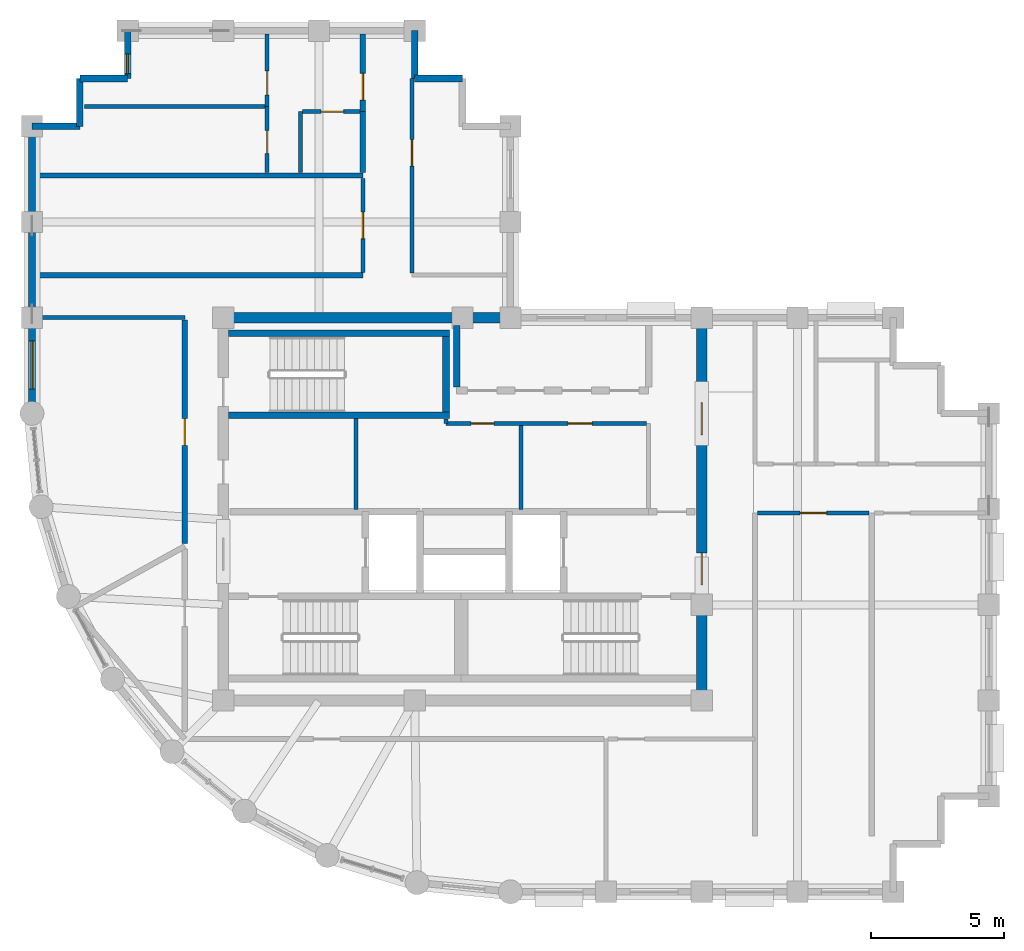
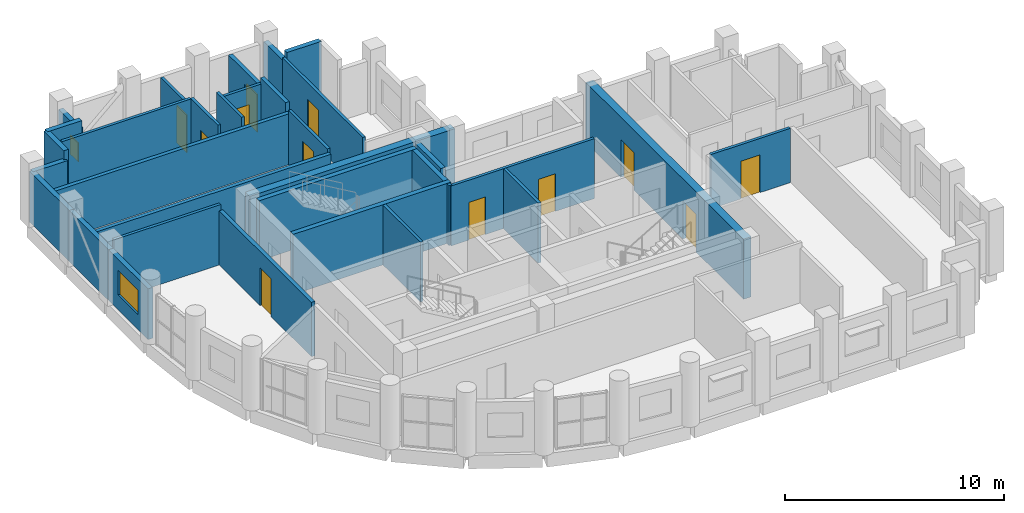
# One storey, part 8 of 11: 33 walls, 12 doors, 2 windows, 14 openings.
"""IFC4 building model written with IfcOpenShell, lengths in metres."""

from ifc_helpers import new_model, si_unit, direction, frame, frame_2d, origin, place, context, subcontext, project, spatial, rectangle, extrude, material, layer, layer_set, type_object, element, fill, save


model = new_model("IFC4")

# Units and contexts
model_context = context("Model", 3, precision=1e-05, world=origin(), true_north=direction((0.0, 1.0)))
body_context = subcontext(model_context, "Body", "Model", "MODEL_VIEW")
ifc_project = project(units=[si_unit("LENGTHUNIT", "METRE"), si_unit("AREAUNIT", "SQUARE_METRE"), si_unit("VOLUMEUNIT", "CUBIC_METRE"), si_unit("PLANEANGLEUNIT", "RADIAN"), si_unit("MASSUNIT", "GRAM", prefix="KILO")], contexts=[model_context])

# Site, building, storey
site_placement = place(None, origin())
site = spatial("IfcSite", under=ifc_project, at=site_placement, CompositionType="ELEMENT")
building_placement = place(site_placement, origin())
building = spatial("IfcBuilding", under=site, at=building_placement, Name="Solnavia Interchange Tower", CompositionType="ELEMENT")
storey_placement = place(building_placement, frame((0.0, 0.0, 273.800048828125)))
storey = spatial("IfcBuildingStorey", under=building, at=storey_placement, Name="L69", CompositionType="ELEMENT", Elevation=273.800048828125)

# Wall, opening, door
ifc_material_1 = material(Name="Gypsum Acoustic Twin-Stud & Mineral Wool", Category="gypsum")
ifc_layer_1 = layer(ifc_material_1, 0.199951171875)
ifc_layer_set_1 = layer_set([ifc_layer_1], Name="Gypsum Acoustic Twin-Stud & Mineral Wool")
wall_type_1 = type_object("IfcWallType", Name="Wall-ApartmentParty-200", PredefinedType="PARTITIONING", material=ifc_layer_set_1)
wall_1_placement = place(storey_placement, frame((12.949951171875, 16.7041015625, 0.0), z_axis=(0.0, 0.0, 1.0), x_axis=(0.0, 1.0, 0.0)))
wall_1 = element("IfcWall", 1, at=wall_1_placement, inside=storey, type_object=wall_type_1, Name="PTW-L69-11 Interior partition wall", PredefinedType="PARTITIONING", context=body_context, shape_type="SweptSolid", body=[
    extrude(rectangle(XDim=8.4169921875, YDim=0.199951171875, at=frame_2d((4.20849609375, 0.0))), origin(), (0.0, 0.0, 1.0), 3.02001953125),
])
opening_1_placement = place(wall_1_placement, frame((3.696044921875, 0.0, 0.0)))
opening_1 = element("IfcOpeningElement", 2, at=opening_1_placement, cuts=wall_1, Name="Opening DR-07", PredefinedType="OPENING", context=body_context, shape_type="SweptSolid", body=[
    extrude(rectangle(XDim=1.0, YDim=2.10009765625, at=frame_2d((0.5, 1.050048828125))), frame((0.0, 0.10986328125, 0.0), z_axis=(0.0, -1.0, 0.0), x_axis=(1.0, 0.0, 0.0)), (0.0, 0.0, 1.0), 0.219970703125),
])
ifc_material_2 = material(Name="Timber & Acoustic Glazed Office Door", Category="wood")
door_type_1 = type_object("IfcDoorType", Name="Door-Office-1000x2100", OperationType="SINGLE_SWING_RIGHT", PredefinedType="DOOR", material=ifc_material_2)
door_1_placement = place(opening_1_placement, origin())
door_1 = element("IfcDoor", 3, at=door_1_placement, inside=storey, type_object=door_type_1, Name="DR-L69-03 Interior room door", OperationType="SINGLE_SWING_LEFT", OverallHeight=2.10009765625, OverallWidth=1.0, PredefinedType="DOOR", context=body_context, shape_type="SweptSolid", body=[
    extrude(rectangle(XDim=1.0, YDim=2.10009765625, at=frame_2d((0.5, 1.050048828125))), frame((0.0, 0.02490234375, 0.0), z_axis=(0.0, -1.0, 0.0), x_axis=(1.0, 0.0, 0.0)), (0.0, 0.0, 1.0), 0.050048828125),
])
fill(opening_1, door_1)

# Walls
for number, where, z_axis, x_axis, name in (
    (4, (7.3291015625, 26.800048828125, 0.0), (0.0, 0.0, 1.0), (1.0, 0.0, 0.0), "PTW-L69-20 Interior partition wall"),
    (5, (7.3291015625, 30.550048828125, 0.0), (0.0, 0.0, 1.0), (1.0, 0.0, 0.0), "PTW-L69-21 Interior partition wall"),
):
    element("IfcWall", number, at=place(storey_placement, frame(where, z_axis=z_axis, x_axis=x_axis)), inside=storey, type_object=wall_type_1, Name=name, PredefinedType="PARTITIONING", context=body_context, shape_type="SweptSolid", body=[
        extrude(rectangle(XDim=12.32080078125, YDim=0.199951171875, at=frame_2d((6.160400390625, 0.0))), origin(), (0.0, 0.0, 1.0), 2.829833984375),
    ])
wall_2_placement = place(storey_placement, frame((19.64990234375, 30.654052734375, 0.0), z_axis=(0.0, 0.0, 1.0), x_axis=(0.0, 1.0, 0.0)))
element("IfcWall", 6, at=wall_2_placement, inside=storey, type_object=wall_type_1, Name="PTW-L69-23 Interior partition wall", PredefinedType="PARTITIONING", context=body_context, shape_type="SweptSolid", body=[
    extrude(rectangle(XDim=2.2958984375, YDim=0.199951171875, at=frame_2d((1.14794921875, 0.0))), origin(), (0.0, 0.0, 1.0), 3.3349609375),
])

# Wall, opening, door
wall_3_placement = place(storey_placement, frame((19.64990234375, 32.949951171875, 0.0), z_axis=(0.0, 0.0, 1.0), x_axis=(0.0, 1.0, 0.0)))
wall_3 = element("IfcWall", 7, at=wall_3_placement, inside=storey, type_object=wall_type_1, Name="PTW-L69-26 Interior partition wall", PredefinedType="PARTITIONING", context=body_context, shape_type="SweptSolid", body=[
    extrude(rectangle(XDim=2.921142578125, YDim=0.199951171875, at=frame_2d((1.46044921875, 0.0))), origin(), (0.0, 0.0, 1.0), 2.829833984375),
])
opening_2_placement = place(wall_3_placement, frame((0.43798828125, 0.0, 0.0)))
opening_2 = element("IfcOpeningElement", 8, at=opening_2_placement, cuts=wall_3, Name="Opening DR-06", PredefinedType="OPENING", context=body_context, shape_type="SweptSolid", body=[
    extrude(rectangle(XDim=1.0, YDim=2.10009765625, at=frame_2d((0.5, 1.050048828125))), frame((0.0, 0.10986328125, 0.0), z_axis=(0.0, -1.0, 0.0), x_axis=(1.0, 0.0, 0.0)), (0.0, 0.0, 1.0), 0.219970703125),
])
ifc_material_3 = material(Name="Engineered Timber Acoustic Fire Door", Category="wood")
door_type_2 = type_object("IfcDoorType", Name="Door-FlatEntry-1000x2100", OperationType="SINGLE_SWING_LEFT", PredefinedType="DOOR", material=ifc_material_3)
door_2_placement = place(opening_2_placement, origin())
door_2 = element("IfcDoor", 9, at=door_2_placement, inside=storey, type_object=door_type_2, Name="DR-L69-12 Interior room door", OperationType="SINGLE_SWING_LEFT", OverallHeight=2.10009765625, OverallWidth=1.0, PredefinedType="DOOR", context=body_context, shape_type="SweptSolid", body=[
    extrude(rectangle(XDim=1.0, YDim=2.10009765625, at=frame_2d((0.5, 1.050048828125))), frame((0.0, 0.02490234375, 0.0), z_axis=(0.0, -1.0, 0.0), x_axis=(1.0, 0.0, 0.0)), (0.0, 0.0, 1.0), 0.050048828125),
])
fill(opening_2, door_2)

# Walls
ifc_material_4 = material(Name="Concrete C40/50", Category="concrete")
ifc_layer_2 = layer(ifc_material_4, 0.25)
ifc_layer_set_2 = layer_set([ifc_layer_2], Name="Concrete C40/50")
wall_type_2 = type_object("IfcWallType", Name="Wall-ExtSpandrel-250", PredefinedType="STANDARD", material=ifc_layer_set_2)
wall_4_placement = place(storey_placement, frame((21.60009765625, 34.199951171875, 0.0), z_axis=(0.0, 0.0, 1.0), x_axis=(1.0, 0.0, 0.0)))
element("IfcWall", 10, at=wall_4_placement, inside=storey, type_object=wall_type_2, Name="EXW-L69-25 Exterior precast spandrel wall", PredefinedType="STANDARD", context=body_context, shape_type="SweptSolid", body=[
    extrude(rectangle(XDim=1.7998046875, YDim=0.25, at=frame_2d((0.89990234375, 0.0))), origin(), (0.0, 0.0, 1.0), 3.3349609375),
])
wall_5_placement = place(storey_placement, frame((21.60009765625, 34.199951171875, 0.0), z_axis=(0.0, 0.0, 1.0), x_axis=(0.0, 1.0, 0.0)))
element("IfcWall", 11, at=wall_5_placement, inside=storey, type_object=wall_type_2, Name="EXW-L69-26 Exterior precast spandrel wall", PredefinedType="STANDARD", context=body_context, shape_type="SweptSolid", body=[
    extrude(rectangle(XDim=1.800048828125, YDim=0.25, at=frame_2d((0.89990234375, 0.0))), origin(), (0.0, 0.0, 1.0), 2.829833984375),
])

# Wall, opening, window
wall_6_placement = place(storey_placement, frame((10.800048828125, 34.199951171875, 0.0), z_axis=(0.0, 0.0, 1.0), x_axis=(0.0, 1.0, 0.0)))
wall_6 = element("IfcWall", 12, at=wall_6_placement, inside=storey, type_object=wall_type_2, Name="EXW-L69-30 Exterior precast spandrel wall", PredefinedType="STANDARD", context=body_context, shape_type="SweptSolid", body=[
    extrude(rectangle(XDim=1.800048828125, YDim=0.25, at=frame_2d((0.89990234375, 0.0))), origin(), (0.0, 0.0, 1.0), 2.829833984375),
])
opening_3_placement = place(wall_6_placement, frame((0.179931640625, 0.0, 0.85009765625)))
opening_3 = element("IfcOpeningElement", 13, at=opening_3_placement, cuts=wall_6, Name="Opening WIN-08", PredefinedType="OPENING", context=body_context, shape_type="SweptSolid", body=[
    extrude(rectangle(XDim=0.75, YDim=1.050048828125, at=frame_2d((0.375, 0.52490234375))), frame((0.0, 0.135009765625, 0.0), z_axis=(0.0, -1.0, 0.0), x_axis=(1.0, 0.0, 0.0)), (0.0, 0.0, 1.0), 0.27001953125),
])
ifc_material_5 = material(Name="Thermal-Break Aluminium & Low-E Glass", Category="aluminium")
window_type_1 = type_object("IfcWindowType", Name="Window-Bedroom-750x1050", PartitioningType="SINGLE_PANEL", PredefinedType="WINDOW", material=ifc_material_5)
window_1_placement = place(opening_3_placement, origin())
window_1 = element("IfcWindow", 14, at=window_1_placement, inside=storey, type_object=window_type_1, Name="WIN-L69-DW01 Dwelling bedroom window", OverallHeight=1.050048828125, OverallWidth=0.75, PartitioningType="SINGLE_PANEL", PredefinedType="WINDOW", context=body_context, shape_type="SweptSolid", body=[
    extrude(rectangle(XDim=0.75, YDim=1.050048828125, at=frame_2d((0.375, 0.52490234375))), frame((0.0, 0.030029296875, 0.0), z_axis=(0.0, -1.0, 0.0), x_axis=(1.0, 0.0, 0.0)), (0.0, 0.0, 1.0), 0.06005859375),
])
fill(opening_3, window_1)

# Walls
for number, where, z_axis, x_axis, name in (
    (15, (9.0, 34.199951171875, 0.0), (0.0, 0.0, 1.0), (1.0, 0.0, 0.0), "EXW-L69-31 Exterior precast spandrel wall"),
    (16, (9.0, 32.39990234375, 0.0), (0.0, 0.0, 1.0), (0.0, 1.0, 0.0), "EXW-L69-32 Exterior precast spandrel wall"),
):
    element("IfcWall", number, at=place(storey_placement, frame(where, z_axis=z_axis, x_axis=x_axis)), inside=storey, type_object=wall_type_2, Name=name, PredefinedType="STANDARD", context=body_context, shape_type="SweptSolid", body=[
        extrude(rectangle(XDim=1.800048828125, YDim=0.25, at=frame_2d((0.89990234375, 0.0))), origin(), (0.0, 0.0, 1.0), 3.3349609375),
    ])
wall_7_placement = place(storey_placement, frame((7.199951171875, 32.39990234375, 0.0), z_axis=(0.0, 0.0, 1.0), x_axis=(1.0, 0.0, 0.0)))
element("IfcWall", 17, at=wall_7_placement, inside=storey, type_object=wall_type_2, Name="EXW-L69-33 Exterior precast spandrel wall", PredefinedType="STANDARD", context=body_context, shape_type="SweptSolid", body=[
    extrude(rectangle(XDim=1.800048828125, YDim=0.25, at=frame_2d((0.89990234375, 0.0))), origin(), (0.0, 0.0, 1.0), 2.829833984375),
])
wall_8_placement = place(storey_placement, frame((7.199951171875, 28.800048828125, 0.0), z_axis=(0.0, 0.0, 1.0), x_axis=(0.0, 1.0, 0.0)))
element("IfcWall", 18, at=wall_8_placement, inside=storey, type_object=wall_type_2, Name="EXW-L69-34 Exterior precast spandrel wall", PredefinedType="STANDARD", context=body_context, shape_type="SweptSolid", body=[
    extrude(rectangle(XDim=3.599853515625, YDim=0.25, at=frame_2d((1.7998046875, 0.0))), origin(), (0.0, 0.0, 1.0), 2.829833984375),
])
wall_9_placement = place(storey_placement, frame((7.199951171875, 25.199951171875, 0.0), z_axis=(0.0, 0.0, 1.0), x_axis=(0.0, 1.0, 0.0)))
element("IfcWall", 19, at=wall_9_placement, inside=storey, type_object=wall_type_2, Name="EXW-L69-35 Exterior precast spandrel wall", PredefinedType="STANDARD", context=body_context, shape_type="SweptSolid", body=[
    extrude(rectangle(XDim=3.60009765625, YDim=0.25, at=frame_2d((1.800048828125, 0.0))), origin(), (0.0, 0.0, 1.0), 2.829833984375),
])

# Wall, opening, window
wall_10_placement = place(storey_placement, frame((7.199951171875, 21.60009765625, 0.0), z_axis=(0.0, 0.0, 1.0), x_axis=(0.0, 1.0, 0.0)))
wall_10 = element("IfcWall", 20, at=wall_10_placement, inside=storey, type_object=wall_type_2, Name="EXW-L69-36 Exterior precast spandrel wall", PredefinedType="STANDARD", context=body_context, shape_type="SweptSolid", body=[
    extrude(rectangle(XDim=3.599853515625, YDim=0.25, at=frame_2d((1.7998046875, 0.0))), origin(), (0.0, 0.0, 1.0), 2.829833984375),
])
opening_4_placement = place(wall_10_placement, frame((0.925048828125, 0.0, 0.85009765625)))
opening_4 = element("IfcOpeningElement", 21, at=opening_4_placement, cuts=wall_10, Name="Opening WIN-02", PredefinedType="OPENING", context=body_context, shape_type="SweptSolid", body=[
    extrude(rectangle(XDim=1.800048828125, YDim=1.35009765625, at=frame_2d((0.89990234375, 0.675048828125))), frame((0.0, 0.135009765625, 0.0), z_axis=(0.0, -1.0, 0.0), x_axis=(1.0, 0.0, 0.0)), (0.0, 0.0, 1.0), 0.27001953125),
])
window_type_2 = type_object("IfcWindowType", Name="Window-Ribbon-1800x1350", PartitioningType="SINGLE_PANEL", PredefinedType="WINDOW", material=ifc_material_5)
window_2_placement = place(opening_4_placement, origin())
window_2 = element("IfcWindow", 22, at=window_2_placement, inside=storey, type_object=window_type_2, Name="WIN-L69-36 Facade ribbon window", OverallHeight=1.35009765625, OverallWidth=1.800048828125, PartitioningType="SINGLE_PANEL", PredefinedType="WINDOW", context=body_context, shape_type="SweptSolid", body=[
    extrude(rectangle(XDim=1.800048828125, YDim=1.35009765625, at=frame_2d((0.89990234375, 0.675048828125))), frame((0.0, 0.030029296875, 0.0), z_axis=(0.0, -1.0, 0.0), x_axis=(1.0, 0.0, 0.0)), (0.0, 0.0, 1.0), 0.06005859375),
])
fill(opening_4, window_2)

# Wall, openings, doors
ifc_material_6 = material(Name="Gypsum Plasterboard & Steel Stud", Category="steel")
ifc_layer_3 = layer(ifc_material_6, 0.14990234375)
ifc_layer_set_3 = layer_set([ifc_layer_3], Name="Gypsum Plasterboard & Steel Stud")
wall_type_3 = type_object("IfcWallType", Name="Wall-Partition-150", PredefinedType="PARTITIONING", material=ifc_layer_set_3)
wall_11_placement = place(storey_placement, frame((22.77490234375, 21.219970703125, 0.0), z_axis=(0.0, 0.0, 1.0), x_axis=(1.0, 0.0, 0.0)))
wall_11 = element("IfcWall", 23, at=wall_11_placement, inside=storey, type_object=wall_type_3, Name="CSW-L69-N-ALL Core shaft wall", PredefinedType="PARTITIONING", context=body_context, shape_type="SweptSolid", body=[
    extrude(rectangle(XDim=7.545166015625, YDim=0.14990234375, at=frame_2d((3.7724609375, 0.0))), origin(), (0.0, 0.0, 1.0), 3.3349609375),
])
opening_5_placement = place(wall_11_placement, frame((0.949951171875, 0.0, 0.0)))
opening_5 = element("IfcOpeningElement", 24, at=opening_5_placement, cuts=wall_11, Name="Opening DR-10", PredefinedType="OPENING", context=body_context, shape_type="SweptSolid", body=[
    extrude(rectangle(XDim=0.85009765625, YDim=2.10009765625, at=frame_2d((0.425048828125, 1.050048828125))), frame((0.0, 0.0849609375, 0.0), z_axis=(0.0, -1.0, 0.0), x_axis=(1.0, 0.0, 0.0)), (0.0, 0.0, 1.0), 0.169921875),
])
opening_6_placement = place(wall_11_placement, frame((4.60009765625, 0.0, 0.0)))
opening_6 = element("IfcOpeningElement", 25, at=opening_6_placement, cuts=wall_11, Name="Opening DR-09", PredefinedType="OPENING", context=body_context, shape_type="SweptSolid", body=[
    extrude(rectangle(XDim=0.89990234375, YDim=2.10009765625, at=frame_2d((0.449951171875, 1.050048828125))), frame((0.0, 0.0849609375, 0.0), z_axis=(0.0, -1.0, 0.0), x_axis=(1.0, 0.0, 0.0)), (0.0, 0.0, 1.0), 0.169921875),
])
ifc_material_7 = material(Name="Moisture-Resistant Timber Door", Category="wood")
door_type_3 = type_object("IfcDoorType", Name="Door-Bathroom-850x2100", OperationType="SINGLE_SWING_RIGHT", PredefinedType="DOOR", material=ifc_material_7)
door_3_placement = place(opening_5_placement, origin())
door_3 = element("IfcDoor", 26, at=door_3_placement, inside=storey, type_object=door_type_3, Name="DR-L69-CS2 Core fire door", OperationType="SINGLE_SWING_LEFT", OverallHeight=2.10009765625, OverallWidth=0.85009765625, PredefinedType="DOOR", context=body_context, shape_type="SweptSolid", body=[
    extrude(rectangle(XDim=0.85009765625, YDim=2.10009765625, at=frame_2d((0.425048828125, 1.050048828125))), frame((0.0, 0.02490234375, 0.0), z_axis=(0.0, -1.0, 0.0), x_axis=(1.0, 0.0, 0.0)), (0.0, 0.0, 1.0), 0.050048828125),
])
fill(opening_5, door_3)
ifc_material_8 = material(Name="Engineered Oak Veneer Door", Category="wood")
door_type_4 = type_object("IfcDoorType", Name="Door-Internal-900x2100", OperationType="SINGLE_SWING_LEFT", PredefinedType="DOOR", material=ifc_material_8)
door_4_placement = place(opening_6_placement, origin())
door_4 = element("IfcDoor", 27, at=door_4_placement, inside=storey, type_object=door_type_4, Name="DR-L69-CS3 Core fire door", OperationType="SINGLE_SWING_RIGHT", OverallHeight=2.10009765625, OverallWidth=0.89990234375, PredefinedType="DOOR", context=body_context, shape_type="SweptSolid", body=[
    extrude(rectangle(XDim=0.89990234375, YDim=2.10009765625, at=frame_2d((0.449951171875, 1.050048828125))), frame((0.0, 0.02490234375, 0.0), z_axis=(0.0, -1.0, 0.0), x_axis=(1.0, 0.0, 0.0)), (0.0, 0.0, 1.0), 0.050048828125),
])
fill(opening_6, door_4)

# Walls
wall_12_placement = place(storey_placement, frame((22.77490234375, 21.219970703125, 0.0), z_axis=(0.0, 0.0, 1.0), x_axis=(0.0, 1.0, 0.0)))
element("IfcWall", 28, at=wall_12_placement, inside=storey, type_object=wall_type_3, Name="CSW-L69-ST-TIE Core shaft wall", PredefinedType="PARTITIONING", context=body_context, shape_type="SweptSolid", body=[
    extrude(rectangle(XDim=0.175048828125, YDim=0.14990234375, at=frame_2d((0.08740234375, 0.0))), origin(), (0.0, 0.0, 1.0), 3.3349609375),
])
wall_13_placement = place(storey_placement, frame((19.39990234375, 17.97998046875, 0.0), z_axis=(0.0, 0.0, 1.0), x_axis=(0.0, 1.0, 0.0)))
element("IfcWall", 29, at=wall_13_placement, inside=storey, type_object=wall_type_3, Name="CSW-L69-M1 Core shaft wall", PredefinedType="PARTITIONING", context=body_context, shape_type="SweptSolid", body=[
    extrude(rectangle(XDim=3.419921875, YDim=0.14990234375, at=frame_2d((1.7099609375, 0.0))), origin(), (0.0, 0.0, 1.0), 3.3349609375),
])
wall_14_placement = place(storey_placement, frame((25.60009765625, 17.97998046875, 0.0), z_axis=(0.0, 0.0, 1.0), x_axis=(0.0, 1.0, 0.0)))
element("IfcWall", 30, at=wall_14_placement, inside=storey, type_object=wall_type_3, Name="CSW-L69-M2 Core shaft wall", PredefinedType="PARTITIONING", context=body_context, shape_type="SweptSolid", body=[
    extrude(rectangle(XDim=3.169921875, YDim=0.14990234375, at=frame_2d((1.5849609375, 0.0))), origin(), (0.0, 0.0, 1.0), 3.3349609375),
])
wall_15_placement = place(storey_placement, frame((7.3291015625, 25.199951171875, 0.0), z_axis=(0.0, 0.0, 1.0), x_axis=(1.0, 0.0, 0.0)))
element("IfcWall", 31, at=wall_15_placement, inside=storey, type_object=wall_type_3, Name="PTW-L69-07 Interior partition wall", PredefinedType="PARTITIONING", context=body_context, shape_type="SweptSolid", body=[
    extrude(rectangle(XDim=5.620849609375, YDim=0.14990234375, at=frame_2d((2.810546875, 0.0))), origin(), (0.0, 0.0, 1.0), 3.3349609375),
])

# Wall, opening, door
wall_16_placement = place(storey_placement, frame((34.50390625, 17.85009765625, 0.0), z_axis=(0.0, 0.0, 1.0), x_axis=(1.0, 0.0, 0.0)))
wall_16 = element("IfcWall", 32, at=wall_16_placement, inside=storey, type_object=wall_type_3, Name="PTW-L69-17 Interior partition wall", PredefinedType="PARTITIONING", context=body_context, shape_type="SweptSolid", body=[
    extrude(rectangle(XDim=4.192138671875, YDim=0.14990234375, at=frame_2d((2.09619140625, 0.0))), origin(), (0.0, 0.0, 1.0), 3.02001953125),
])
opening_7_placement = place(wall_16_placement, frame((1.595947265625, 0.0, 0.0)))
opening_7 = element("IfcOpeningElement", 33, at=opening_7_placement, cuts=wall_16, Name="Opening DR-07", PredefinedType="OPENING", context=body_context, shape_type="SweptSolid", body=[
    extrude(rectangle(XDim=1.0, YDim=2.10009765625, at=frame_2d((0.5, 1.050048828125))), frame((0.0, 0.0849609375, 0.0), z_axis=(0.0, -1.0, 0.0), x_axis=(1.0, 0.0, 0.0)), (0.0, 0.0, 1.0), 0.169921875),
])
door_5_placement = place(opening_7_placement, origin())
door_5 = element("IfcDoor", 34, at=door_5_placement, inside=storey, type_object=door_type_1, Name="DR-L69-07 Interior room door", OperationType="SINGLE_SWING_LEFT", OverallHeight=2.10009765625, OverallWidth=1.0, PredefinedType="DOOR", context=body_context, shape_type="SweptSolid", body=[
    extrude(rectangle(XDim=1.0, YDim=2.10009765625, at=frame_2d((0.5, 1.050048828125))), frame((0.0, 0.02490234375, 0.0), z_axis=(0.0, -1.0, 0.0), x_axis=(1.0, 0.0, 0.0)), (0.0, 0.0, 1.0), 0.050048828125),
])
fill(opening_7, door_5)

wall_17_placement = place(storey_placement, frame((19.64990234375, 26.904052734375, 0.0), z_axis=(0.0, 0.0, 1.0), x_axis=(0.0, 1.0, 0.0)))
wall_17 = element("IfcWall", 35, at=wall_17_placement, inside=storey, type_object=wall_type_3, Name="PTW-L69-22 Interior partition wall", PredefinedType="PARTITIONING", context=body_context, shape_type="SweptSolid", body=[
    extrude(rectangle(XDim=3.5419921875, YDim=0.14990234375, at=frame_2d((1.77099609375, 0.0))), origin(), (0.0, 0.0, 1.0), 3.030029296875),
])
opening_8_placement = place(wall_17_placement, frame((1.27099609375, 0.0, 0.0)))
opening_8 = element("IfcOpeningElement", 36, at=opening_8_placement, cuts=wall_17, Name="Opening DR-07", PredefinedType="OPENING", context=body_context, shape_type="SweptSolid", body=[
    extrude(rectangle(XDim=1.0, YDim=2.10009765625, at=frame_2d((0.5, 1.050048828125))), frame((0.0, 0.0849609375, 0.0), z_axis=(0.0, -1.0, 0.0), x_axis=(1.0, 0.0, 0.0)), (0.0, 0.0, 1.0), 0.169921875),
])
door_6_placement = place(opening_8_placement, origin())
door_6 = element("IfcDoor", 37, at=door_6_placement, inside=storey, type_object=door_type_1, Name="DR-L69-10 Interior room door", OperationType="SINGLE_SWING_RIGHT", OverallHeight=2.10009765625, OverallWidth=1.0, PredefinedType="DOOR", context=body_context, shape_type="SweptSolid", body=[
    extrude(rectangle(XDim=1.0, YDim=2.10009765625, at=frame_2d((0.5, 1.050048828125))), frame((0.0, 0.02490234375, 0.0), z_axis=(0.0, -1.0, 0.0), x_axis=(1.0, 0.0, 0.0)), (0.0, 0.0, 1.0), 0.050048828125),
])
fill(opening_8, door_6)

wall_18_placement = place(storey_placement, frame((16.050048828125, 33.14990234375, 0.0), z_axis=(0.0, 0.0, 1.0), x_axis=(0.0, 1.0, 0.0)))
wall_18 = element("IfcWall", 38, at=wall_18_placement, inside=storey, type_object=wall_type_3, Name="PTW-L69-27 Interior partition wall", PredefinedType="PARTITIONING", context=body_context, shape_type="SweptSolid", body=[
    extrude(rectangle(XDim=2.72119140625, YDim=0.14990234375, at=frame_2d((1.360595703125, 0.0))), origin(), (0.0, 0.0, 1.0), 2.829833984375),
])
opening_9_placement = place(wall_18_placement, frame((0.43701171875, 0.0, 0.0)))
opening_9 = element("IfcOpeningElement", 39, at=opening_9_placement, cuts=wall_18, Name="Opening DR-09", PredefinedType="OPENING", context=body_context, shape_type="SweptSolid", body=[
    extrude(rectangle(XDim=0.89990234375, YDim=2.10009765625, at=frame_2d((0.449951171875, 1.050048828125))), frame((0.0, 0.0849609375, 0.0), z_axis=(0.0, -1.0, 0.0), x_axis=(1.0, 0.0, 0.0)), (0.0, 0.0, 1.0), 0.169921875),
])
door_7_placement = place(opening_9_placement, origin())
door_7 = element("IfcDoor", 40, at=door_7_placement, inside=storey, type_object=door_type_4, Name="DR-L69-13 Interior room door", OperationType="SINGLE_SWING_LEFT", OverallHeight=2.10009765625, OverallWidth=0.89990234375, PredefinedType="DOOR", context=body_context, shape_type="SweptSolid", body=[
    extrude(rectangle(XDim=0.89990234375, YDim=2.10009765625, at=frame_2d((0.449951171875, 1.050048828125))), frame((0.0, 0.02490234375, 0.0), z_axis=(0.0, -1.0, 0.0), x_axis=(1.0, 0.0, 0.0)), (0.0, 0.0, 1.0), 0.050048828125),
])
fill(opening_9, door_7)

wall_19_placement = place(storey_placement, frame((21.5, 26.87890625, 0.0), z_axis=(0.0, 0.0, 1.0), x_axis=(0.0, 1.0, 0.0)))
wall_19 = element("IfcWall", 41, at=wall_19_placement, inside=storey, type_object=wall_type_3, Name="PTW-L69-31 Interior partition wall", PredefinedType="PARTITIONING", context=body_context, shape_type="SweptSolid", body=[
    extrude(rectangle(XDim=7.321044921875, YDim=0.14990234375, at=frame_2d((3.66064453125, 0.0))), origin(), (0.0, 0.0, 1.0), 3.030029296875),
])
opening_10_placement = place(wall_19_placement, frame((4.02099609375, 0.0, 0.0)))
opening_10 = element("IfcOpeningElement", 42, at=opening_10_placement, cuts=wall_19, Name="Opening DR-07", PredefinedType="OPENING", context=body_context, shape_type="SweptSolid", body=[
    extrude(rectangle(XDim=1.0, YDim=2.10009765625, at=frame_2d((0.5, 1.050048828125))), frame((0.0, 0.0849609375, 0.0), z_axis=(0.0, -1.0, 0.0), x_axis=(1.0, 0.0, 0.0)), (0.0, 0.0, 1.0), 0.169921875),
])
door_8_placement = place(opening_10_placement, origin())
door_8 = element("IfcDoor", 43, at=door_8_placement, inside=storey, type_object=door_type_1, Name="DR-L69-15 Interior room door", OperationType="SINGLE_SWING_LEFT", OverallHeight=2.10009765625, OverallWidth=1.0, PredefinedType="DOOR", context=body_context, shape_type="SweptSolid", body=[
    extrude(rectangle(XDim=1.0, YDim=2.10009765625, at=frame_2d((0.5, 1.050048828125))), frame((0.0, 0.02490234375, 0.0), z_axis=(0.0, -1.0, 0.0), x_axis=(1.0, 0.0, 0.0)), (0.0, 0.0, 1.0), 0.050048828125),
])
fill(opening_10, door_8)

# Walls
ifc_layer_4 = layer(ifc_material_4, 0.25)
ifc_layer_set_4 = layer_set([ifc_layer_4], Name="Concrete C40/50")
wall_type_4 = type_object("IfcWallType", Name="Wall-ShaftCore-250", PredefinedType="SHEAR", material=ifc_layer_set_4)
for number, where, z_axis, x_axis, name in (
    (44, (14.60009765625, 21.52490234375, 0.0), (0.0, 0.0, 1.0), (1.0, 0.0, 0.0), "SHW-L69-ST3S Core shear wall"),
    (45, (14.60009765625, 24.614990234375, 0.0), (0.0, 0.0, 1.0), (1.0, 0.0, 0.0), "SHW-L69-ST3N Core shear wall"),
):
    element("IfcWall", number, at=place(storey_placement, frame(where, z_axis=z_axis, x_axis=x_axis)), inside=storey, type_object=wall_type_4, Name=name, PredefinedType="SHEAR", context=body_context, shape_type="SweptSolid", body=[
        extrude(rectangle(XDim=8.2998046875, YDim=0.25, at=frame_2d((4.14990234375, 0.0))), origin(), (0.0, 0.0, 1.0), 3.349853515625),
    ])
wall_20_placement = place(storey_placement, frame((22.77490234375, 21.64990234375, 0.0), z_axis=(0.0, 0.0, 1.0), x_axis=(0.0, 1.0, 0.0)))
element("IfcWall", 46, at=wall_20_placement, inside=storey, type_object=wall_type_4, Name="SHW-L69-ST3E Core shear wall", PredefinedType="SHEAR", context=body_context, shape_type="SweptSolid", body=[
    extrude(rectangle(XDim=2.840087890625, YDim=0.25, at=frame_2d((1.419921875, 0.0))), origin(), (0.0, 0.0, 1.0), 3.349853515625),
])
ifc_layer_5 = layer(ifc_material_4, 0.25)
ifc_layer_set_5 = layer_set([ifc_layer_5], Name="Concrete C40/50")
wall_type_5 = type_object("IfcWallType", Name="Wall-ShaftPart-250", PredefinedType="PARTITIONING", material=ifc_layer_set_5)
wall_21_placement = place(storey_placement, frame((23.179931640625, 22.5849609375, 0.0), z_axis=(0.0, 0.0, 1.0), x_axis=(0.0, 1.0, 0.0)))
element("IfcWall", 47, at=wall_21_placement, inside=storey, type_object=wall_type_5, Name="SHW-L69-B3W Core shaft wall", PredefinedType="PARTITIONING", context=body_context, shape_type="SweptSolid", body=[
    extrude(rectangle(XDim=2.31494140625, YDim=0.25, at=frame_2d((1.157470703125, 0.0))), origin(), (0.0, 0.0, 1.0), 3.3349609375),
])
ifc_material_9 = material(Name="Concrete C50/60", Category="concrete")
ifc_layer_6 = layer(ifc_material_9, 0.39990234375)
ifc_layer_set_6 = layer_set([ifc_layer_6], Name="Concrete C50/60")
wall_type_6 = type_object("IfcWallType", Name="Wall-ShearCore-400", PredefinedType="SHEAR", material=ifc_layer_set_6)
wall_22_placement = place(storey_placement, frame((14.39990234375, 25.199951171875, 0.0), z_axis=(0.0, 0.0, 1.0), x_axis=(1.0, 0.0, 0.0)))
element("IfcWall", 48, at=wall_22_placement, inside=storey, type_object=wall_type_6, Name="CRW-L69-N Core shear wall", PredefinedType="SHEAR", context=body_context, shape_type="SweptSolid", body=[
    extrude(rectangle(XDim=10.800048828125, YDim=0.39990234375, at=frame_2d((5.39990234375, 0.0))), origin(), (0.0, 0.0, 1.0), 3.349853515625),
])

# Wall, openings, doors
wall_23_placement = place(storey_placement, frame((32.39990234375, 10.800048828125, 0.0), z_axis=(0.0, 0.0, 1.0), x_axis=(0.0, 1.0, 0.0)))
wall_23 = element("IfcWall", 49, at=wall_23_placement, inside=storey, type_object=wall_type_6, Name="CRW-L69-E Core shear wall", PredefinedType="SHEAR", context=body_context, shape_type="SweptSolid", body=[
    extrude(rectangle(XDim=14.39990234375, YDim=0.39990234375, at=frame_2d((7.199951171875, 0.0))), origin(), (0.0, 0.0, 1.0), 3.349853515625),
])
opening_11_placement = place(wall_23_placement, frame((4.35009765625, 0.0, 0.0)))
opening_11 = element("IfcOpeningElement", 50, at=opening_11_placement, cuts=wall_23, Name="Opening DR-02", PredefinedType="OPENING", context=body_context, shape_type="SweptSolid", body=[
    extrude(rectangle(XDim=1.199951171875, YDim=2.10009765625, at=frame_2d((0.60009765625, 1.050048828125))), frame((0.0, 0.2099609375, 0.0), z_axis=(0.0, -1.0, 0.0), x_axis=(1.0, 0.0, 0.0)), (0.0, 0.0, 1.0), 0.419921875),
])
opening_12_placement = place(wall_23_placement, frame((10.0, 0.0, 0.0)))
opening_12 = element("IfcOpeningElement", 51, at=opening_12_placement, cuts=wall_23, Name="Opening DR-02", PredefinedType="OPENING", context=body_context, shape_type="SweptSolid", body=[
    extrude(rectangle(XDim=1.199951171875, YDim=2.10009765625, at=frame_2d((0.60009765625, 1.050048828125))), frame((0.0, 0.2099609375, 0.0), z_axis=(0.0, -1.0, 0.0), x_axis=(1.0, 0.0, 0.0)), (0.0, 0.0, 1.0), 0.419921875),
])
ifc_material_10 = material(Name="Steel Fire-Rated Vision-Panel Door", Category="steel")
door_type_5 = type_object("IfcDoorType", Name="Door-LobbyFire-1200x2100", OperationType="SINGLE_SWING_RIGHT", PredefinedType="DOOR", material=ifc_material_10)
door_9_placement = place(opening_11_placement, origin())
door_9 = element("IfcDoor", 52, at=door_9_placement, inside=storey, type_object=door_type_5, Name="DR-L69-FFL2E Core fire door", OperationType="SINGLE_SWING_LEFT", OverallHeight=2.10009765625, OverallWidth=1.199951171875, PredefinedType="DOOR", context=body_context, shape_type="SweptSolid", body=[
    extrude(rectangle(XDim=1.199951171875, YDim=2.10009765625, at=frame_2d((0.60009765625, 1.050048828125))), frame((0.0, 0.02490234375, 0.0), z_axis=(0.0, -1.0, 0.0), x_axis=(1.0, 0.0, 0.0)), (0.0, 0.0, 1.0), 0.050048828125),
])
fill(opening_11, door_9)
door_10_placement = place(opening_12_placement, origin())
door_10 = element("IfcDoor", 53, at=door_10_placement, inside=storey, type_object=door_type_5, Name="DR-L69-LLE Core fire door", OperationType="SINGLE_SWING_RIGHT", OverallHeight=2.10009765625, OverallWidth=1.199951171875, PredefinedType="DOOR", context=body_context, shape_type="SweptSolid", body=[
    extrude(rectangle(XDim=1.199951171875, YDim=2.10009765625, at=frame_2d((0.60009765625, 1.050048828125))), frame((0.0, 0.02490234375, 0.0), z_axis=(0.0, -1.0, 0.0), x_axis=(1.0, 0.0, 0.0)), (0.0, 0.0, 1.0), 0.050048828125),
])
fill(opening_12, door_10)

# Wall
ifc_material_11 = material(Name="Moisture-Resistant Gypsum & Steel Stud", Category="steel")
ifc_layer_7 = layer(ifc_material_11, 0.14990234375)
ifc_layer_set_7 = layer_set([ifc_layer_7], Name="Moisture-Resistant Gypsum & Steel Stud")
wall_type_7 = type_object("IfcWallType", Name="Wall-WetRoom-150", PredefinedType="PARTITIONING", material=ifc_layer_set_7)
wall_24_placement = place(storey_placement, frame((17.300048828125, 30.654052734375, 0.0), z_axis=(0.0, 0.0, 1.0), x_axis=(0.0, 1.0, 0.0)))
element("IfcWall", 54, at=wall_24_placement, inside=storey, type_object=wall_type_7, Name="PTW-L69-24 Interior partition wall", PredefinedType="PARTITIONING", context=body_context, shape_type="SweptSolid", body=[
    extrude(rectangle(XDim=2.2958984375, YDim=0.14990234375, at=frame_2d((1.14794921875, 0.0))), origin(), (0.0, 0.0, 1.0), 3.3349609375),
])

# Wall, opening, door
wall_25_placement = place(storey_placement, frame((17.37890625, 32.949951171875, 0.0), z_axis=(0.0, 0.0, 1.0), x_axis=(1.0, 0.0, 0.0)))
wall_25 = element("IfcWall", 55, at=wall_25_placement, inside=storey, type_object=wall_type_7, Name="PTW-L69-25 Interior partition wall", PredefinedType="PARTITIONING", context=body_context, shape_type="SweptSolid", body=[
    extrude(rectangle(XDim=2.1669921875, YDim=0.14990234375, at=frame_2d((1.08349609375, 0.0))), origin(), (0.0, 0.0, 1.0), 3.030029296875),
])
opening_13_placement = place(wall_25_placement, frame((0.700927734375, 0.0, 0.0)))
opening_13 = element("IfcOpeningElement", 56, at=opening_13_placement, cuts=wall_25, Name="Opening DR-10", PredefinedType="OPENING", context=body_context, shape_type="SweptSolid", body=[
    extrude(rectangle(XDim=0.85009765625, YDim=2.10009765625, at=frame_2d((0.425048828125, 1.050048828125))), frame((0.0, 0.0849609375, 0.0), z_axis=(0.0, -1.0, 0.0), x_axis=(1.0, 0.0, 0.0)), (0.0, 0.0, 1.0), 0.169921875),
])
door_11_placement = place(opening_13_placement, origin())
door_11 = element("IfcDoor", 57, at=door_11_placement, inside=storey, type_object=door_type_3, Name="DR-L69-11 Interior room door", OperationType="SINGLE_SWING_RIGHT", OverallHeight=2.10009765625, OverallWidth=0.85009765625, PredefinedType="DOOR", context=body_context, shape_type="SweptSolid", body=[
    extrude(rectangle(XDim=0.85009765625, YDim=2.10009765625, at=frame_2d((0.425048828125, 1.050048828125))), frame((0.0, 0.02490234375, 0.0), z_axis=(0.0, -1.0, 0.0), x_axis=(1.0, 0.0, 0.0)), (0.0, 0.0, 1.0), 0.050048828125),
])
fill(opening_13, door_11)

wall_26_placement = place(storey_placement, frame((16.050048828125, 30.654052734375, 0.0), z_axis=(0.0, 0.0, 1.0), x_axis=(0.0, 1.0, 0.0)))
wall_26 = element("IfcWall", 58, at=wall_26_placement, inside=storey, type_object=wall_type_7, Name="PTW-L69-28 Interior partition wall", PredefinedType="PARTITIONING", context=body_context, shape_type="SweptSolid", body=[
    extrude(rectangle(XDim=2.495849609375, YDim=0.14990234375, at=frame_2d((1.248046875, 0.0))), origin(), (0.0, 0.0, 1.0), 3.3349609375),
])
opening_14_placement = place(wall_26_placement, frame((0.73095703125, 0.0, 0.0)))
opening_14 = element("IfcOpeningElement", 59, at=opening_14_placement, cuts=wall_26, Name="Opening DR-10", PredefinedType="OPENING", context=body_context, shape_type="SweptSolid", body=[
    extrude(rectangle(XDim=0.85009765625, YDim=2.10009765625, at=frame_2d((0.425048828125, 1.050048828125))), frame((0.0, 0.0849609375, 0.0), z_axis=(0.0, -1.0, 0.0), x_axis=(1.0, 0.0, 0.0)), (0.0, 0.0, 1.0), 0.169921875),
])
door_12_placement = place(opening_14_placement, origin())
door_12 = element("IfcDoor", 60, at=door_12_placement, inside=storey, type_object=door_type_3, Name="DR-L69-14 Interior room door", OperationType="SINGLE_SWING_RIGHT", OverallHeight=2.10009765625, OverallWidth=0.85009765625, PredefinedType="DOOR", context=body_context, shape_type="SweptSolid", body=[
    extrude(rectangle(XDim=0.85009765625, YDim=2.10009765625, at=frame_2d((0.425048828125, 1.050048828125))), frame((0.0, 0.02490234375, 0.0), z_axis=(0.0, -1.0, 0.0), x_axis=(1.0, 0.0, 0.0)), (0.0, 0.0, 1.0), 0.050048828125),
])
fill(opening_14, door_12)

# Wall
wall_27_placement = place(storey_placement, frame((9.179931640625, 33.14990234375, 0.0), z_axis=(0.0, 0.0, 1.0), x_axis=(1.0, 0.0, 0.0)))
element("IfcWall", 61, at=wall_27_placement, inside=storey, type_object=wall_type_7, Name="PTW-L69-29 Interior partition wall", PredefinedType="PARTITIONING", context=body_context, shape_type="SweptSolid", body=[
    extrude(rectangle(XDim=6.791015625, YDim=0.14990234375, at=frame_2d((3.3955078125, 0.0))), origin(), (0.0, 0.0, 1.0), 3.3349609375),
])

save(model, "model.ifc")
